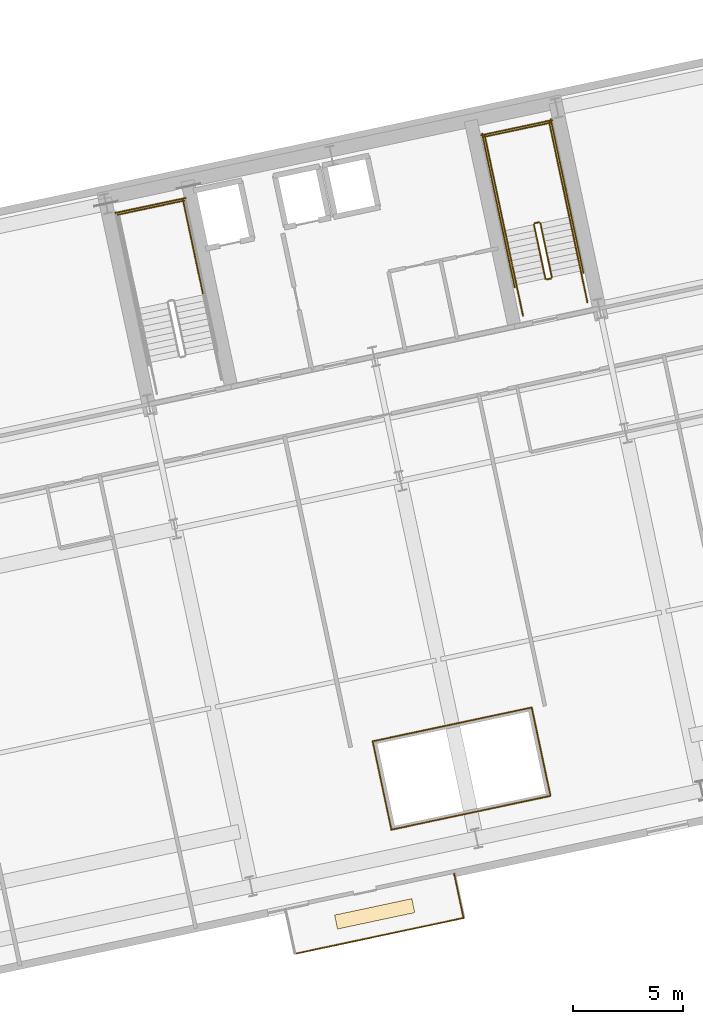
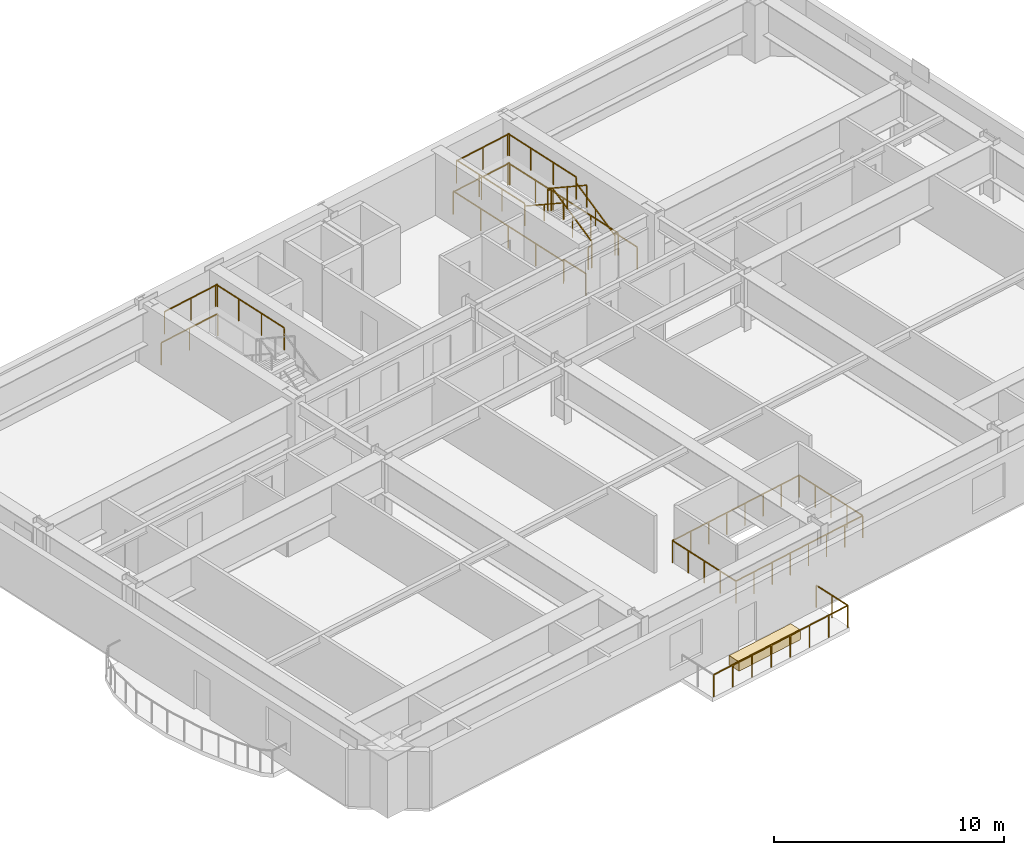
# One storey, part 17 of 18: 23 railings, 1 covering.
"""IFC4 building model written with IfcOpenShell, lengths in metres."""

import ifcopenshell
import ifcopenshell.guid

model = None  # the IFC model being written
_history = None  # IfcOwnerHistory: only IFC2X3 demands one
_inside = {}  # id of a spatial element -> (the spatial element, [elements in it])
_under = {}  # id of a project, library or spatial element -> (it, [spatial elements below it])
_declared = {}  # id of a project -> (the project, [libraries it declares])
_typed = {}  # id of a type object -> (the type object, [elements of that type])
_made_of = {}  # id of a material, layer set ... -> (it, [elements and type objects made of it])


def new_model(schema):
    """Start an empty IFC model of exactly this schema.

    Asked for "IFC4X3", IfcOpenShell would pick the latest addendum, in which some entities
    have other attributes; the version numbers below select the first issue.
    IFC2X3 requires an IfcOwnerHistory on every rooted entity: one is made here for all.
    """
    global model, _history
    if schema == "IFC4X3":
        model = ifcopenshell.file(schema_version=(4, 3, 0, 0))
    else:
        model = ifcopenshell.file(schema=schema)
    _inside.clear()
    _under.clear()
    _declared.clear()
    _typed.clear()
    _made_of.clear()
    _history = None
    if model.schema == "IFC2X3":
        org = make("IfcOrganization", Name="unknown")
        user = make(
            "IfcPersonAndOrganization",
            ThePerson=make("IfcPerson", FamilyName="unknown"),
            TheOrganization=org,
        )
        app = make(
            "IfcApplication",
            ApplicationDeveloper=org,
            Version="unknown",
            ApplicationFullName="unknown",
            ApplicationIdentifier="unknown",
        )
        _history = make(
            "IfcOwnerHistory",
            OwningUser=user,
            OwningApplication=app,
            ChangeAction="ADDED",
            CreationDate=0,
        )
    return model


def make(cls, **values):
    """One entity of the class cls with the attributes given. An attribute that is None is left unset."""
    return model.create_entity(
        cls, **{name: value for name, value in values.items() if value is not None}
    )


def rooted(cls, **values):
    """An entity with a GlobalId (a new one), such as an element, a storey or a relation."""
    return make(cls, GlobalId=ifcopenshell.guid.new(), OwnerHistory=_history, **values)


def si_unit(unit_type, name, prefix=None):
    """IfcSIUnit, for example si_unit("LENGTHUNIT", "METRE", prefix="MILLI")."""
    return make("IfcSIUnit", UnitType=unit_type, Prefix=prefix, Name=name)


def assignment(units):
    """IfcUnitAssignment: the units of a project."""
    return None if units is None else make("IfcUnitAssignment", Units=units)


def point(xyz):
    """IfcCartesianPoint."""
    return None if xyz is None else make("IfcCartesianPoint", Coordinates=xyz)


def direction(xyz):
    """IfcDirection."""
    return None if xyz is None else make("IfcDirection", DirectionRatios=xyz)


def frame(location, z_axis=None, x_axis=None):
    """IfcAxis2Placement3D, a coordinate frame: its origin and axes. An axis left out is left unset."""
    return make(
        "IfcAxis2Placement3D",
        Location=point(location),
        Axis=direction(z_axis),
        RefDirection=direction(x_axis),
    )


def frame_2d(location, x_axis=None):
    """IfcAxis2Placement2D, a coordinate frame in the plane: its origin and x axis."""
    return make(
        "IfcAxis2Placement2D", Location=point(location), RefDirection=direction(x_axis)
    )


def origin():
    """The frame at (0, 0, 0) with its axes left unset."""
    return frame((0.0, 0.0, 0.0))


def origin_2d():
    """The frame at (0, 0) in the plane with its x axis left unset."""
    return frame_2d((0.0, 0.0))


def place(relative_to, where):
    """IfcLocalPlacement: puts the frame where relative to a parent placement (None: the world)."""
    return make(
        "IfcLocalPlacement", PlacementRelTo=relative_to, RelativePlacement=where
    )


def context(
    kind, dimensions, precision=None, world=None, true_north=None, identifier=None
):
    """IfcGeometricRepresentationContext, for example the 3D "Model" context."""
    return make(
        "IfcGeometricRepresentationContext",
        ContextIdentifier=identifier,
        ContextType=kind,
        CoordinateSpaceDimension=dimensions,
        Precision=precision,
        WorldCoordinateSystem=world,
        TrueNorth=true_north,
    )


def subcontext(parent, identifier, kind, view, scale=None):
    """IfcGeometricRepresentationSubContext, for example "Body" below "Model"."""
    return make(
        "IfcGeometricRepresentationSubContext",
        ContextIdentifier=identifier,
        ContextType=kind,
        ParentContext=parent,
        TargetScale=scale,
        TargetView=view,
    )


def project(units=None, contexts=None):
    """IfcProject with its units and contexts."""
    return rooted(
        "IfcProject",
        Name="project",
        RepresentationContexts=contexts,
        UnitsInContext=assignment(units),
    )


def spatial(cls, under=None, at=None, **own):
    """A site, building, storey or space (cls), placed at a placement, below another one or the project."""
    s = rooted(cls, ObjectPlacement=at, **own)
    if under is not None:
        _under.setdefault(under.id(), (under, []))[1].append(s)
    return s


def profile(cls, at=None, kind="AREA", **sizes):
    """A parametric profile (cls). Its sizes go by their IFC names, for example OverallWidth=200.0."""
    return make(cls, ProfileType=kind, Position=at, **sizes)


def rectangle(**sizes):
    """IfcRectangleProfileDef."""
    return profile("IfcRectangleProfileDef", **sizes)


def extrude(swept, where, along, depth):
    """IfcExtrudedAreaSolid: the profile swept, set in the frame where, extruded along a direction by depth."""
    return make(
        "IfcExtrudedAreaSolid",
        SweptArea=swept,
        Position=where,
        ExtrudedDirection=direction(along),
        Depth=depth,
    )


def shape(context_of_items, identifier, shape_type, items):
    """IfcShapeRepresentation: the items that make up one representation, for example the "Body"."""
    return make(
        "IfcShapeRepresentation",
        ContextOfItems=context_of_items,
        RepresentationIdentifier=identifier,
        RepresentationType=shape_type,
        Items=items,
    )


def material(Name=None, Category=None):
    """IfcMaterial."""
    return make("IfcMaterial", Name=Name, Category=Category)


def layer(
    of_material, thickness, ventilated=None, Name=None, Category=None, Priority=None
):
    """IfcMaterialLayer: one layer of a wall or slab, of a material (None: an air gap)."""
    return make(
        "IfcMaterialLayer",
        Material=of_material,
        LayerThickness=thickness,
        IsVentilated=ventilated,
        Name=Name,
        Category=Category,
        Priority=Priority,
    )


def layer_set(layers, Name=None):
    """IfcMaterialLayerSet."""
    return make("IfcMaterialLayerSet", MaterialLayers=layers, LayerSetName=Name)


def made_of(thing, what):
    """Note that an element or type object is made of a material, layer set ...; save() writes the relation."""
    if what is not None:
        _made_of.setdefault(what.id(), (what, []))[1].append(thing)
    return thing


def type_object(cls, material=None, **own):
    """A type object (cls), such as IfcWallType, which elements share."""
    return made_of(rooted(cls, **own), material)


def element(
    cls,
    number,
    at=None,
    inside=None,
    cuts=None,
    type_object=None,
    material=None,
    context=None,
    identifier="Body",
    shape_type=None,
    held_by="IfcProductDefinitionShape",
    body=None,
    shapes=None,
    **own,
):
    """One element of the class cls, such as IfcWall. Its Tag is "e" and its number.

    at: its placement. inside: the storey or other place that contains it. cuts: it is an
    opening in that element (IfcRelVoidsElement). A single representation is given by context,
    identifier, shape_type and body (its items); several are given by shapes. held_by: the class
    of the entity that holds the representations. save() writes the other relations.
    """
    e = rooted(cls, Tag="e%d" % number, ObjectPlacement=at, **own)
    if body is not None:
        shapes = [shape(context, identifier, shape_type, body)]
    if shapes is not None:
        e.Representation = make(held_by, Representations=shapes)
    if inside is not None:
        _inside.setdefault(inside.id(), (inside, []))[1].append(e)
    if cuts is not None:
        rooted(
            "IfcRelVoidsElement", RelatingBuildingElement=cuts, RelatedOpeningElement=e
        )
    if type_object is not None:
        _typed.setdefault(type_object.id(), (type_object, []))[1].append(e)
    return made_of(e, material)


def aggregate(whole, parts):
    """IfcRelAggregates: a whole, such as a stair, and the parts it consists of."""
    return rooted("IfcRelAggregates", RelatingObject=whole, RelatedObjects=parts)


def save(model, path):
    """Write the relations noted so far, then the file.

    IfcRelAggregates (storeys below a building ...), IfcRelContainedInSpatialStructure (elements
    in a storey), IfcRelDefinesByType, IfcRelAssociatesMaterial and IfcRelDeclares: one each for
    every whole, place, type object, material and project.
    """
    for whole, parts in _under.values():
        aggregate(whole, parts)
    for where, things in _inside.values():
        rooted(
            "IfcRelContainedInSpatialStructure",
            RelatedElements=things,
            RelatingStructure=where,
        )
    for kind, things in _typed.values():
        rooted("IfcRelDefinesByType", RelatedObjects=things, RelatingType=kind)
    for what, things in _made_of.values():
        rooted("IfcRelAssociatesMaterial", RelatedObjects=things, RelatingMaterial=what)
    for by, libraries in _declared.values():
        rooted("IfcRelDeclares", RelatingContext=by, RelatedDefinitions=libraries)
    model.write(path)


model = new_model("IFC4")

# Units and contexts
model_context = context("Model", 3, precision=1e-05, world=origin(), true_north=direction((0.0, 1.0)))
body_context = subcontext(model_context, "Body", "Model", "MODEL_VIEW")
ifc_project = project(units=[si_unit("LENGTHUNIT", "METRE"), si_unit("AREAUNIT", "SQUARE_METRE"), si_unit("VOLUMEUNIT", "CUBIC_METRE"), si_unit("PLANEANGLEUNIT", "RADIAN"), si_unit("MASSUNIT", "GRAM", prefix="KILO")], contexts=[model_context])

# Site, building, storey
site_placement = place(None, origin())
site = spatial("IfcSite", under=ifc_project, at=site_placement, CompositionType="ELEMENT")
building_placement = place(site_placement, origin())
building = spatial("IfcBuilding", under=site, at=building_placement, Name="Haevon Station Towers", CompositionType="ELEMENT")
storey_placement = place(building_placement, frame((0.0, 0.0, 47.10009765625)))
storey = spatial("IfcBuildingStorey", under=building, at=storey_placement, Name="L11", CompositionType="ELEMENT", Elevation=47.10009765625)

# Railings
ifc_material_1 = material(Name="Steel S355", Category="steel")
railing_type_1 = type_object("IfcRailingType", Name="BAL-ATR1200", PredefinedType="BALUSTRADE", material=ifc_material_1)
railing_1_placement = place(storey_placement, frame((109.81884765625, 18.0615234375, 0.0)))
element("IfcRailing", 1, at=railing_1_placement, inside=storey, type_object=railing_type_1, Name="L11 Atrium Void Balustrade 1", PredefinedType="BALUSTRADE", context=body_context, shape_type="SweptSolid", body=[
    extrude(rectangle(XDim=0.048095703125, YDim=0.048095703125, at=origin_2d()), frame((0.0, 0.0, 1.17578125), z_axis=(0.978148717371, 0.207906437384, 0.0), x_axis=(-0.207906437384, 0.978148717371, 0.0)), (0.0, 0.0, 1.0), 7.40966796875),
    extrude(rectangle(XDim=0.0419921875, YDim=0.0419921875, at=origin_2d()), origin(), (0.0, 0.0, 1.0), 1.15185546875),
    extrude(rectangle(XDim=0.0419921875, YDim=0.0419921875, at=origin_2d()), frame((1.035400390625, 0.219970703125, 0.0)), (0.0, 0.0, 1.0), 1.15185546875),
    extrude(rectangle(XDim=0.0419921875, YDim=0.0419921875, at=origin_2d()), frame((2.07080078125, 0.440185546875, 0.0)), (0.0, 0.0, 1.0), 1.15185546875),
    extrude(rectangle(XDim=0.0419921875, YDim=0.0419921875, at=origin_2d()), frame((3.106201171875, 0.66015625, 0.0)), (0.0, 0.0, 1.0), 1.15185546875),
    extrude(rectangle(XDim=0.0419921875, YDim=0.0419921875, at=origin_2d()), frame((4.1416015625, 0.88037109375, 0.0)), (0.0, 0.0, 1.0), 1.15185546875),
    extrude(rectangle(XDim=0.0419921875, YDim=0.0419921875, at=origin_2d()), frame((5.177001953125, 1.100341796875, 0.0)), (0.0, 0.0, 1.0), 1.15185546875),
    extrude(rectangle(XDim=0.0419921875, YDim=0.0419921875, at=origin_2d()), frame((6.21240234375, 1.320556640625, 0.0)), (0.0, 0.0, 1.0), 1.15185546875),
    extrude(rectangle(XDim=0.0419921875, YDim=0.0419921875, at=origin_2d()), frame((7.247802734375, 1.54052734375, 0.0)), (0.0, 0.0, 1.0), 1.15185546875),
])
railing_2_placement = place(storey_placement, frame((117.066650390625, 19.60205078125, 0.0)))
element("IfcRailing", 2, at=railing_2_placement, inside=storey, type_object=railing_type_1, Name="L11 Atrium Void Balustrade 2", PredefinedType="BALUSTRADE", context=body_context, shape_type="SweptSolid", body=[
    extrude(rectangle(XDim=0.048095703125, YDim=0.048095703125, at=origin_2d()), frame((0.0, 0.0, 1.17578125), z_axis=(-0.207928976297, 0.978143926432, 0.0), x_axis=(-0.978143926432, -0.207928976297, 0.0)), (0.0, 0.0, 1.0), 4.11669921875),
    extrude(rectangle(XDim=0.0419921875, YDim=0.0419921875, at=origin_2d()), origin(), (0.0, 0.0, 1.0), 1.15185546875),
    extrude(rectangle(XDim=0.0419921875, YDim=0.0419921875, at=origin_2d()), frame((-0.2138671875, 1.006591796875, 0.0)), (0.0, 0.0, 1.0), 1.15185546875),
    extrude(rectangle(XDim=0.0419921875, YDim=0.0419921875, at=origin_2d()), frame((-0.427978515625, 2.01318359375, 0.0)), (0.0, 0.0, 1.0), 1.15185546875),
    extrude(rectangle(XDim=0.0419921875, YDim=0.0419921875, at=origin_2d()), frame((-0.64208984375, 3.02001953125, 0.0)), (0.0, 0.0, 1.0), 1.15185546875),
    extrude(rectangle(XDim=0.0419921875, YDim=0.0419921875, at=origin_2d()), frame((-0.85595703125, 4.026611328125, 0.0)), (0.0, 0.0, 1.0), 1.15185546875),
])
railing_3_placement = place(storey_placement, frame((116.210693359375, 23.628662109375, 0.0)))
element("IfcRailing", 3, at=railing_3_placement, inside=storey, type_object=railing_type_1, Name="L11 Atrium Void Balustrade 3", PredefinedType="BALUSTRADE", context=body_context, shape_type="SweptSolid", body=[
    extrude(rectangle(XDim=0.048095703125, YDim=0.048095703125, at=origin_2d()), frame((0.0, 0.0, 1.17578125), z_axis=(-0.978148717371, -0.207906437384, 0.0), x_axis=(0.207906437384, -0.978148717371, 0.0)), (0.0, 0.0, 1.0), 7.40966796875),
    extrude(rectangle(XDim=0.0419921875, YDim=0.0419921875, at=origin_2d()), origin(), (0.0, 0.0, 1.0), 1.15185546875),
    extrude(rectangle(XDim=0.0419921875, YDim=0.0419921875, at=origin_2d()), frame((-1.035400390625, -0.219970703125, 0.0)), (0.0, 0.0, 1.0), 1.15185546875),
    extrude(rectangle(XDim=0.0419921875, YDim=0.0419921875, at=origin_2d()), frame((-2.07080078125, -0.440185546875, 0.0)), (0.0, 0.0, 1.0), 1.15185546875),
    extrude(rectangle(XDim=0.0419921875, YDim=0.0419921875, at=origin_2d()), frame((-3.106201171875, -0.66015625, 0.0)), (0.0, 0.0, 1.0), 1.15185546875),
    extrude(rectangle(XDim=0.0419921875, YDim=0.0419921875, at=origin_2d()), frame((-4.1416015625, -0.88037109375, 0.0)), (0.0, 0.0, 1.0), 1.15185546875),
    extrude(rectangle(XDim=0.0419921875, YDim=0.0419921875, at=origin_2d()), frame((-5.177001953125, -1.100341796875, 0.0)), (0.0, 0.0, 1.0), 1.15185546875),
    extrude(rectangle(XDim=0.0419921875, YDim=0.0419921875, at=origin_2d()), frame((-6.21240234375, -1.320556640625, 0.0)), (0.0, 0.0, 1.0), 1.15185546875),
    extrude(rectangle(XDim=0.0419921875, YDim=0.0419921875, at=origin_2d()), frame((-7.247802734375, -1.54052734375, 0.0)), (0.0, 0.0, 1.0), 1.15185546875),
])
railing_4_placement = place(storey_placement, frame((108.962890625, 22.088134765625, 0.0)))
element("IfcRailing", 4, at=railing_4_placement, inside=storey, type_object=railing_type_1, Name="L11 Atrium Void Balustrade 4", PredefinedType="BALUSTRADE", context=body_context, shape_type="SweptSolid", body=[
    extrude(rectangle(XDim=0.048095703125, YDim=0.048095703125, at=origin_2d()), frame((0.0, 0.0, 1.17578125), z_axis=(0.207928976297, -0.978143926432, 0.0), x_axis=(0.978143926432, 0.207928976297, 0.0)), (0.0, 0.0, 1.0), 4.11669921875),
    extrude(rectangle(XDim=0.0419921875, YDim=0.0419921875, at=origin_2d()), origin(), (0.0, 0.0, 1.0), 1.15185546875),
    extrude(rectangle(XDim=0.0419921875, YDim=0.0419921875, at=origin_2d()), frame((0.2138671875, -1.006591796875, 0.0)), (0.0, 0.0, 1.0), 1.15185546875),
    extrude(rectangle(XDim=0.0419921875, YDim=0.0419921875, at=origin_2d()), frame((0.427978515625, -2.01318359375, 0.0)), (0.0, 0.0, 1.0), 1.15185546875),
    extrude(rectangle(XDim=0.0419921875, YDim=0.0419921875, at=origin_2d()), frame((0.64208984375, -3.02001953125, 0.0)), (0.0, 0.0, 1.0), 1.15185546875),
    extrude(rectangle(XDim=0.0419921875, YDim=0.0419921875, at=origin_2d()), frame((0.85595703125, -4.026611328125, 0.0)), (0.0, 0.0, 1.0), 1.15185546875),
])
railing_type_2 = type_object("IfcRailingType", Name="GRD-EXT1200", PredefinedType="GUARDRAIL", material=ifc_material_1)
railing_5_placement = place(storey_placement, frame((105.431396484375, 12.404296875, 0.0)))
element("IfcRailing", 5, at=railing_5_placement, inside=storey, type_object=railing_type_2, Name="L11 Perimeter Guardrail 1", PredefinedType="GUARDRAIL", context=body_context, shape_type="SweptSolid", body=[
    extrude(rectangle(XDim=0.048095703125, YDim=0.048095703125, at=origin_2d()), frame((0.0, 0.0, 1.17578125), z_axis=(0.978148093399, 0.207909372996, 0.0), x_axis=(-0.207909372996, 0.978148093399, 0.0)), (0.0, 0.0, 1.0), 7.84521484375),
    extrude(rectangle(XDim=0.0419921875, YDim=0.0419921875, at=origin_2d()), origin(), (0.0, 0.0, 1.0), 1.15185546875),
    extrude(rectangle(XDim=0.0419921875, YDim=0.0419921875, at=origin_2d()), frame((1.09619140625, 0.23291015625, 0.0)), (0.0, 0.0, 1.0), 1.15185546875),
    extrude(rectangle(XDim=0.0419921875, YDim=0.0419921875, at=origin_2d()), frame((2.192626953125, 0.466064453125, 0.0)), (0.0, 0.0, 1.0), 1.15185546875),
    extrude(rectangle(XDim=0.0419921875, YDim=0.0419921875, at=origin_2d()), frame((3.288818359375, 0.698974609375, 0.0)), (0.0, 0.0, 1.0), 1.15185546875),
    extrude(rectangle(XDim=0.0419921875, YDim=0.0419921875, at=origin_2d()), frame((4.385009765625, 0.93212890625, 0.0)), (0.0, 0.0, 1.0), 1.15185546875),
    extrude(rectangle(XDim=0.0419921875, YDim=0.0419921875, at=origin_2d()), frame((5.481201171875, 1.1650390625, 0.0)), (0.0, 0.0, 1.0), 1.15185546875),
    extrude(rectangle(XDim=0.0419921875, YDim=0.0419921875, at=origin_2d()), frame((6.57763671875, 1.398193359375, 0.0)), (0.0, 0.0, 1.0), 1.15185546875),
    extrude(rectangle(XDim=0.0419921875, YDim=0.0419921875, at=origin_2d()), frame((7.673828125, 1.631103515625, 0.0)), (0.0, 0.0, 1.0), 1.15185546875),
])
railing_6_placement = place(storey_placement, frame((113.105224609375, 14.035400390625, 0.0)))
element("IfcRailing", 6, at=railing_6_placement, inside=storey, type_object=railing_type_2, Name="L11 Perimeter Guardrail 2", PredefinedType="GUARDRAIL", context=body_context, shape_type="SweptSolid", body=[
    extrude(rectangle(XDim=0.048095703125, YDim=0.048095703125, at=origin_2d()), frame((0.0, 0.0, 1.17578125), z_axis=(-0.207962507169, 0.978136798005, 0.0), x_axis=(-0.978136798005, -0.207962507169, 0.0)), (0.0, 0.0, 1.0), 2.054443359375),
    extrude(rectangle(XDim=0.0419921875, YDim=0.0419921875, at=origin_2d()), origin(), (0.0, 0.0, 1.0), 1.15185546875),
    extrude(rectangle(XDim=0.0419921875, YDim=0.0419921875, at=origin_2d()), frame((-0.213623046875, 1.0048828125, 0.0)), (0.0, 0.0, 1.0), 1.15185546875),
    extrude(rectangle(XDim=0.0419921875, YDim=0.0419921875, at=origin_2d()), frame((-0.42724609375, 2.009521484375, 0.0)), (0.0, 0.0, 1.0), 1.15185546875),
])
railing_type_3 = type_object("IfcRailingType", Name="GRD-STR1200", PredefinedType="GUARDRAIL", material=ifc_material_1)
railing_7_placement = place(storey_placement, frame((101.238037109375, 42.4384765625, 1.64990234375)))
element("IfcRailing", 7, at=railing_7_placement, inside=storey, type_object=railing_type_3, Name="L11 ST3 Stair Guard 3", PredefinedType="GUARDRAIL", context=body_context, shape_type="SweptSolid", body=[
    extrude(rectangle(XDim=0.048095703125, YDim=0.048095703125, at=origin_2d()), frame((0.0, 0.0, 1.17578125), z_axis=(-0.20794048909, 0.978141479029, 0.0), x_axis=(-0.978141479029, -0.20794048909, 0.0)), (0.0, 0.0, 1.0), 4.429931640625),
    extrude(rectangle(XDim=0.0419921875, YDim=0.0419921875, at=origin_2d()), origin(), (0.0, 0.0, 1.0), 1.15185546875),
    extrude(rectangle(XDim=0.0419921875, YDim=0.0419921875, at=origin_2d()), frame((-0.30712890625, 1.4443359375, 0.0)), (0.0, 0.0, 1.0), 1.15185546875),
    extrude(rectangle(XDim=0.0419921875, YDim=0.0419921875, at=origin_2d()), frame((-0.614013671875, 2.888671875, 0.0)), (0.0, 0.0, 1.0), 1.15185546875),
    extrude(rectangle(XDim=0.0419921875, YDim=0.0419921875, at=origin_2d()), frame((-0.921142578125, 4.3330078125, 0.0)), (0.0, 0.0, 1.0), 1.15185546875),
])
railing_8_placement = place(storey_placement, frame((100.376220703125, 46.733154296875, 1.64990234375)))
element("IfcRailing", 8, at=railing_8_placement, inside=storey, type_object=railing_type_3, Name="L11 ST3 Stair Guard 5", PredefinedType="GUARDRAIL", context=body_context, shape_type="SweptSolid", body=[
    extrude(rectangle(XDim=0.048095703125, YDim=0.048095703125, at=origin_2d()), frame((0.0, 0.0, 1.17578125), z_axis=(-0.978146839882, -0.207915270313, 0.0), x_axis=(0.207915270313, -0.978146839882, 0.0)), (0.0, 0.0, 1.0), 3.099853515625),
    extrude(rectangle(XDim=0.0419921875, YDim=0.0419921875, at=origin_2d()), origin(), (0.0, 0.0, 1.0), 1.15185546875),
    extrude(rectangle(XDim=0.0419921875, YDim=0.0419921875, at=origin_2d()), frame((-1.51611328125, -0.322265625, 0.0)), (0.0, 0.0, 1.0), 1.15185546875),
    extrude(rectangle(XDim=0.0419921875, YDim=0.0419921875, at=origin_2d()), frame((-3.0322265625, -0.64453125, 0.0)), (0.0, 0.0, 1.0), 1.15185546875),
])
railing_9_placement = place(storey_placement, frame((100.453125, 46.8515625, 0.0)))
element("IfcRailing", 9, at=railing_9_placement, inside=storey, type_object=railing_type_3, Name="L11 ST3 Stair Guard 12", PredefinedType="GUARDRAIL", context=body_context, shape_type="SweptSolid", body=[
    extrude(rectangle(XDim=0.048095703125, YDim=0.048095703125, at=origin_2d()), frame((0.0, 0.0, 1.17578125), z_axis=(-0.978150764849, -0.207896804268, 0.0), x_axis=(0.207896804268, -0.978150764849, 0.0)), (0.0, 0.0, 1.0), 3.2998046875),
    extrude(rectangle(XDim=0.0419921875, YDim=0.0419921875, at=origin_2d()), origin(), (0.0, 0.0, 1.0), 1.15185546875),
    extrude(rectangle(XDim=0.0419921875, YDim=0.0419921875, at=origin_2d()), frame((-1.61376953125, -0.343017578125, 0.0)), (0.0, 0.0, 1.0), 1.15185546875),
    extrude(rectangle(XDim=0.0419921875, YDim=0.0419921875, at=origin_2d()), frame((-3.227783203125, -0.68603515625, 0.0)), (0.0, 0.0, 1.0), 1.15185546875),
])
railing_10_placement = place(storey_placement, frame((117.128662109375, 43.23974609375, 0.164794921875)))
element("IfcRailing", 10, at=railing_10_placement, inside=storey, type_object=railing_type_3, Name="L11 ST4 Stair Guard 1", PredefinedType="GUARDRAIL", context=body_context, shape_type="SweptSolid", body=[
    extrude(rectangle(XDim=0.048095703125, YDim=0.048095703125, at=origin_2d()), frame((0.0, 0.0, 1.17578125), z_axis=(-0.179121265225, 0.842687928106, 0.507732831485), x_axis=(-0.978147030254, -0.207914374695, 0.0)), (0.0, 0.0, 1.0), 2.925048828125),
    extrude(rectangle(XDim=0.0419921875, YDim=0.0419921875, at=origin_2d()), origin(), (0.0, 0.0, 1.0), 1.15185546875),
    extrude(rectangle(XDim=0.0419921875, YDim=0.0419921875, at=origin_2d()), frame((-0.261962890625, 1.232421875, 0.74267578125)), (0.0, 0.0, 1.0), 1.15185546875),
    extrude(rectangle(XDim=0.0419921875, YDim=0.0419921875, at=origin_2d()), frame((-0.52392578125, 2.46484375, 1.485107421875)), (0.0, 0.0, 1.0), 1.15185546875),
])
railing_11_placement = place(storey_placement, frame((116.54541015625, 45.7431640625, 1.64990234375)))
element("IfcRailing", 11, at=railing_11_placement, inside=storey, type_object=railing_type_3, Name="L11 ST4 Stair Guard 2", PredefinedType="GUARDRAIL", context=body_context, shape_type="SweptSolid", body=[
    extrude(rectangle(XDim=0.048095703125, YDim=0.048095703125, at=origin_2d()), frame((0.0, 0.0, 1.17578125), z_axis=(-0.97826412705, -0.207362720198, 0.0), x_axis=(0.207362720198, -0.97826412705, 0.0)), (0.0, 0.0, 1.0), 0.2001953125),
    extrude(rectangle(XDim=0.0419921875, YDim=0.0419921875, at=origin_2d()), origin(), (0.0, 0.0, 1.0), 1.15185546875),
    extrude(rectangle(XDim=0.0419921875, YDim=0.0419921875, at=origin_2d()), frame((-0.19580078125, -0.04150390625, 0.0)), (0.0, 0.0, 1.0), 1.15185546875),
])
railing_12_placement = place(storey_placement, frame((117.925048828125, 45.9853515625, 1.64990234375)))
element("IfcRailing", 12, at=railing_12_placement, inside=storey, type_object=railing_type_3, Name="L11 ST4 Stair Guard 3", PredefinedType="GUARDRAIL", context=body_context, shape_type="SweptSolid", body=[
    extrude(rectangle(XDim=0.048095703125, YDim=0.048095703125, at=origin_2d()), frame((0.0, 0.0, 1.17578125), z_axis=(-0.207876551949, 0.978155069071, 0.0), x_axis=(-0.978155069071, -0.207876551949, 0.0)), (0.0, 0.0, 1.0), 4.429931640625),
    extrude(rectangle(XDim=0.0419921875, YDim=0.0419921875, at=origin_2d()), origin(), (0.0, 0.0, 1.0), 1.15185546875),
    extrude(rectangle(XDim=0.0419921875, YDim=0.0419921875, at=origin_2d()), frame((-0.306884765625, 1.4443359375, 0.0)), (0.0, 0.0, 1.0), 1.15185546875),
    extrude(rectangle(XDim=0.0419921875, YDim=0.0419921875, at=origin_2d()), frame((-0.614013671875, 2.888916015625, 0.0)), (0.0, 0.0, 1.0), 1.15185546875),
    extrude(rectangle(XDim=0.0419921875, YDim=0.0419921875, at=origin_2d()), frame((-0.9208984375, 4.333251953125, 0.0)), (0.0, 0.0, 1.0), 1.15185546875),
])
railing_13_placement = place(storey_placement, frame((114.99072265625, 45.361572265625, 1.64990234375)))
element("IfcRailing", 13, at=railing_13_placement, inside=storey, type_object=railing_type_3, Name="L11 ST4 Stair Guard 4", PredefinedType="GUARDRAIL", context=body_context, shape_type="SweptSolid", body=[
    extrude(rectangle(XDim=0.048095703125, YDim=0.048095703125, at=origin_2d()), frame((0.0, 0.0, 1.17578125), z_axis=(-0.207929280007, 0.978143861871, 0.0), x_axis=(-0.978143861871, -0.207929280007, 0.0)), (0.0, 0.0, 1.0), 4.43017578125),
    extrude(rectangle(XDim=0.0419921875, YDim=0.0419921875, at=origin_2d()), origin(), (0.0, 0.0, 1.0), 1.15185546875),
    extrude(rectangle(XDim=0.0419921875, YDim=0.0419921875, at=origin_2d()), frame((-0.30712890625, 1.4443359375, 0.0)), (0.0, 0.0, 1.0), 1.15185546875),
    extrude(rectangle(XDim=0.0419921875, YDim=0.0419921875, at=origin_2d()), frame((-0.614013671875, 2.888916015625, 0.0)), (0.0, 0.0, 1.0), 1.15185546875),
    extrude(rectangle(XDim=0.0419921875, YDim=0.0419921875, at=origin_2d()), frame((-0.921142578125, 4.333251953125, 0.0)), (0.0, 0.0, 1.0), 1.15185546875),
])
railing_14_placement = place(storey_placement, frame((117.0634765625, 50.280029296875, 1.64990234375)))
element("IfcRailing", 14, at=railing_14_placement, inside=storey, type_object=railing_type_3, Name="L11 ST4 Stair Guard 5", PredefinedType="GUARDRAIL", context=body_context, shape_type="SweptSolid", body=[
    extrude(rectangle(XDim=0.048095703125, YDim=0.048095703125, at=origin_2d()), frame((0.0, 0.0, 1.17578125), z_axis=(-0.978146839882, -0.207915270313, 0.0), x_axis=(0.207915270313, -0.978146839882, 0.0)), (0.0, 0.0, 1.0), 3.099853515625),
    extrude(rectangle(XDim=0.0419921875, YDim=0.0419921875, at=origin_2d()), origin(), (0.0, 0.0, 1.0), 1.15185546875),
    extrude(rectangle(XDim=0.0419921875, YDim=0.0419921875, at=origin_2d()), frame((-1.51611328125, -0.322265625, 0.0)), (0.0, 0.0, 1.0), 1.15185546875),
    extrude(rectangle(XDim=0.0419921875, YDim=0.0419921875, at=origin_2d()), frame((-3.0322265625, -0.64453125, 0.0)), (0.0, 0.0, 1.0), 1.15185546875),
])
railing_15_placement = place(storey_placement, frame((116.311279296875, 45.642333984375, 1.81494140625)))
element("IfcRailing", 15, at=railing_15_placement, inside=storey, type_object=railing_type_3, Name="L11 ST4 Stair Guard 6", PredefinedType="GUARDRAIL", context=body_context, shape_type="SweptSolid", body=[
    extrude(rectangle(XDim=0.048095703125, YDim=0.048095703125, at=origin_2d()), frame((0.0, 0.0, 1.17578125), z_axis=(0.179116256339, -0.842747828638, 0.507635168246), x_axis=(0.978151217824, 0.207894673017, 0.0)), (0.0, 0.0, 1.0), 2.925048828125),
    extrude(rectangle(XDim=0.0419921875, YDim=0.0419921875, at=origin_2d()), origin(), (0.0, 0.0, 1.0), 1.15185546875),
    extrude(rectangle(XDim=0.0419921875, YDim=0.0419921875, at=origin_2d()), frame((0.261962890625, -1.232421875, 0.742431640625)), (0.0, 0.0, 1.0), 1.15185546875),
    extrude(rectangle(XDim=0.0419921875, YDim=0.0419921875, at=origin_2d()), frame((0.52392578125, -2.465087890625, 1.48486328125)), (0.0, 0.0, 1.0), 1.15185546875),
])
railing_16_placement = place(storey_placement, frame((117.090087890625, 43.180419921875, 0.0)))
element("IfcRailing", 16, at=railing_16_placement, inside=storey, type_object=railing_type_3, Name="L11 ST4 Stair Guard 7", PredefinedType="GUARDRAIL", context=body_context, shape_type="SweptSolid", body=[
    extrude(rectangle(XDim=0.048095703125, YDim=0.048095703125, at=origin_2d()), frame((0.0, 0.0, 1.17578125), z_axis=(-0.978211583308, -0.207610448392, 0.0), x_axis=(0.207610448392, -0.978211583308, 0.0)), (0.0, 0.0, 1.0), 0.199951171875),
    extrude(rectangle(XDim=0.0419921875, YDim=0.0419921875, at=origin_2d()), origin(), (0.0, 0.0, 1.0), 1.15185546875),
    extrude(rectangle(XDim=0.0419921875, YDim=0.0419921875, at=origin_2d()), frame((-0.195556640625, -0.04150390625, 0.0)), (0.0, 0.0, 1.0), 1.15185546875),
])
for number, where, name in (
    (17, (118.75048828125, 42.10205078125, 0.0), "L11 ST4 Stair Guard 8"),
    (18, (115.816162109375, 41.478271484375, 0.0), "L11 ST4 Stair Guard 9"),
):
    element("IfcRailing", number, at=place(storey_placement, frame(where)), inside=storey, type_object=railing_type_3, Name=name, PredefinedType="GUARDRAIL", context=body_context, shape_type="SweptSolid", body=[
        extrude(rectangle(XDim=0.048095703125, YDim=0.048095703125, at=origin_2d()), frame((0.0, 0.0, 1.17578125), z_axis=(-0.207919161079, 0.978146012851, 0.0), x_axis=(-0.978146012851, -0.207919161079, 0.0)), (0.0, 0.0, 1.0), 1.4501953125),
        extrude(rectangle(XDim=0.0419921875, YDim=0.0419921875, at=origin_2d()), origin(), (0.0, 0.0, 1.0), 1.15185546875),
        extrude(rectangle(XDim=0.0419921875, YDim=0.0419921875, at=origin_2d()), frame((-0.301513671875, 1.41845703125, 0.0)), (0.0, 0.0, 1.0), 1.15185546875),
    ])
railing_17_placement = place(storey_placement, frame((118.567626953125, 43.443359375, 0.0)))
element("IfcRailing", 19, at=railing_17_placement, inside=storey, type_object=railing_type_3, Name="L11 ST4 Stair Guard 10", PredefinedType="GUARDRAIL", context=body_context, shape_type="SweptSolid", body=[
    extrude(rectangle(XDim=0.048095703125, YDim=0.048095703125, at=origin_2d()), frame((0.0, 0.0, 1.17578125), z_axis=(-0.207908168386, 0.978148349443, 0.0), x_axis=(-0.978148349443, -0.207908168386, 0.0)), (0.0, 0.0, 1.0), 7.150146484375),
    extrude(rectangle(XDim=0.0419921875, YDim=0.0419921875, at=origin_2d()), origin(), (0.0, 0.0, 1.0), 1.15185546875),
    extrude(rectangle(XDim=0.0419921875, YDim=0.0419921875, at=origin_2d()), frame((-0.37158203125, 1.74853515625, 0.0)), (0.0, 0.0, 1.0), 1.15185546875),
    extrude(rectangle(XDim=0.0419921875, YDim=0.0419921875, at=origin_2d()), frame((-0.7431640625, 3.4970703125, 0.0)), (0.0, 0.0, 1.0), 1.15185546875),
    extrude(rectangle(XDim=0.0419921875, YDim=0.0419921875, at=origin_2d()), frame((-1.114990234375, 5.245361328125, 0.0)), (0.0, 0.0, 1.0), 1.15185546875),
    extrude(rectangle(XDim=0.0419921875, YDim=0.0419921875, at=origin_2d()), frame((-1.486572265625, 6.993896484375, 0.0)), (0.0, 0.0, 1.0), 1.15185546875),
])
railing_18_placement = place(storey_placement, frame((115.4375, 42.778076171875, 0.0)))
element("IfcRailing", 20, at=railing_18_placement, inside=storey, type_object=railing_type_3, Name="L11 ST4 Stair Guard 11", PredefinedType="GUARDRAIL", context=body_context, shape_type="SweptSolid", body=[
    extrude(rectangle(XDim=0.048095703125, YDim=0.048095703125, at=origin_2d()), frame((0.0, 0.0, 1.17578125), z_axis=(-0.207882442208, 0.978153817261, 0.0), x_axis=(-0.978153817261, -0.207882442208, 0.0)), (0.0, 0.0, 1.0), 7.14990234375),
    extrude(rectangle(XDim=0.0419921875, YDim=0.0419921875, at=origin_2d()), origin(), (0.0, 0.0, 1.0), 1.15185546875),
    extrude(rectangle(XDim=0.0419921875, YDim=0.0419921875, at=origin_2d()), frame((-0.37158203125, 1.74853515625, 0.0)), (0.0, 0.0, 1.0), 1.15185546875),
    extrude(rectangle(XDim=0.0419921875, YDim=0.0419921875, at=origin_2d()), frame((-0.7431640625, 3.496826171875, 0.0)), (0.0, 0.0, 1.0), 1.15185546875),
    extrude(rectangle(XDim=0.0419921875, YDim=0.0419921875, at=origin_2d()), frame((-1.11474609375, 5.2451171875, 0.0)), (0.0, 0.0, 1.0), 1.15185546875),
    extrude(rectangle(XDim=0.0419921875, YDim=0.0419921875, at=origin_2d()), frame((-1.486328125, 6.99365234375, 0.0)), (0.0, 0.0, 1.0), 1.15185546875),
])
railing_19_placement = place(storey_placement, frame((117.140380859375, 50.398681640625, 0.0)))
element("IfcRailing", 21, at=railing_19_placement, inside=storey, type_object=railing_type_3, Name="L11 ST4 Stair Guard 12", PredefinedType="GUARDRAIL", context=body_context, shape_type="SweptSolid", body=[
    extrude(rectangle(XDim=0.048095703125, YDim=0.048095703125, at=origin_2d()), frame((0.0, 0.0, 1.17578125), z_axis=(-0.978135717418, -0.207967589567, 0.0), x_axis=(0.207967589567, -0.978135717418, 0.0)), (0.0, 0.0, 1.0), 3.300048828125),
    extrude(rectangle(XDim=0.0419921875, YDim=0.0419921875, at=origin_2d()), origin(), (0.0, 0.0, 1.0), 1.15185546875),
    extrude(rectangle(XDim=0.0419921875, YDim=0.0419921875, at=origin_2d()), frame((-1.61376953125, -0.34326171875, 0.0)), (0.0, 0.0, 1.0), 1.15185546875),
    extrude(rectangle(XDim=0.0419921875, YDim=0.0419921875, at=origin_2d()), frame((-3.227783203125, -0.686279296875, 0.0)), (0.0, 0.0, 1.0), 1.15185546875),
])
railing_type_4 = type_object("IfcRailingType", Name="HND-STR900", PredefinedType="HANDRAIL", material=ifc_material_1)
railing_20_placement = place(storey_placement, frame((118.448974609375, 43.5205078125, 0.164794921875)))
element("IfcRailing", 22, at=railing_20_placement, inside=storey, type_object=railing_type_4, Name="L11 ST4 Stair Handrail 1", PredefinedType="HANDRAIL", context=body_context, shape_type="SweptSolid", body=[
    extrude(rectangle(XDim=0.048095703125, YDim=0.048095703125, at=origin_2d()), frame((0.0, 0.0, 0.8759765625), z_axis=(-0.179121265225, 0.842687928106, 0.507732831485), x_axis=(-0.978147030254, -0.207914374695, 0.0)), (0.0, 0.0, 1.0), 2.925048828125),
    extrude(rectangle(XDim=0.0419921875, YDim=0.0419921875, at=origin_2d()), origin(), (0.0, 0.0, 1.0), 0.851806640625),
    extrude(rectangle(XDim=0.0419921875, YDim=0.0419921875, at=origin_2d()), frame((-0.261962890625, 1.232421875, 0.74267578125)), (0.0, 0.0, 1.0), 0.851806640625),
    extrude(rectangle(XDim=0.0419921875, YDim=0.0419921875, at=origin_2d()), frame((-0.52392578125, 2.46484375, 1.485107421875)), (0.0, 0.0, 1.0), 0.851806640625),
])
railing_21_placement = place(storey_placement, frame((114.99072265625, 45.361572265625, 1.81494140625)))
element("IfcRailing", 23, at=railing_21_placement, inside=storey, type_object=railing_type_4, Name="L11 ST4 Stair Handrail 2", PredefinedType="HANDRAIL", context=body_context, shape_type="SweptSolid", body=[
    extrude(rectangle(XDim=0.048095703125, YDim=0.048095703125, at=origin_2d()), frame((0.0, 0.0, 0.8759765625), z_axis=(0.179128856099, -0.842723639875, 0.507670877349), x_axis=(0.978147030254, 0.207914374695, 0.0)), (0.0, 0.0, 1.0), 2.9248046875),
    extrude(rectangle(XDim=0.0419921875, YDim=0.0419921875, at=origin_2d()), origin(), (0.0, 0.0, 1.0), 0.851806640625),
    extrude(rectangle(XDim=0.0419921875, YDim=0.0419921875, at=origin_2d()), frame((0.261962890625, -1.232421875, 0.742431640625)), (0.0, 0.0, 1.0), 0.851806640625),
    extrude(rectangle(XDim=0.0419921875, YDim=0.0419921875, at=origin_2d()), frame((0.52392578125, -2.46484375, 1.48486328125)), (0.0, 0.0, 1.0), 0.851806640625),
])

# Covering
ifc_material_2 = material(Name="Architectural planter GRC", Category="concrete")
ifc_layer = layer(ifc_material_2, 0.550048828125)
ifc_layer_set = layer_set([ifc_layer], Name="Architectural planter GRC")
covering_type = type_object("IfcCoveringType", Name="PLN-GRC550", PredefinedType="MOLDING", material=ifc_layer_set)
covering_placement = place(storey_placement, frame((109.0546875, 14.224609375, 0.0), z_axis=(0.0, 0.0, 1.0), x_axis=(0.978147600734, 0.207911690818, 0.0)))
element("IfcCovering", 24, at=covering_placement, inside=storey, type_object=covering_type, Name="Tower 2 L11 Facade Trough PLANTER", PredefinedType="MOLDING", context=body_context, shape_type="SweptSolid", body=[
    extrude(rectangle(XDim=3.60009765625, YDim=0.64990234375, at=origin_2d()), origin(), (0.0, 0.0, 1.0), 0.5),
])

save(model, "model.ifc")
